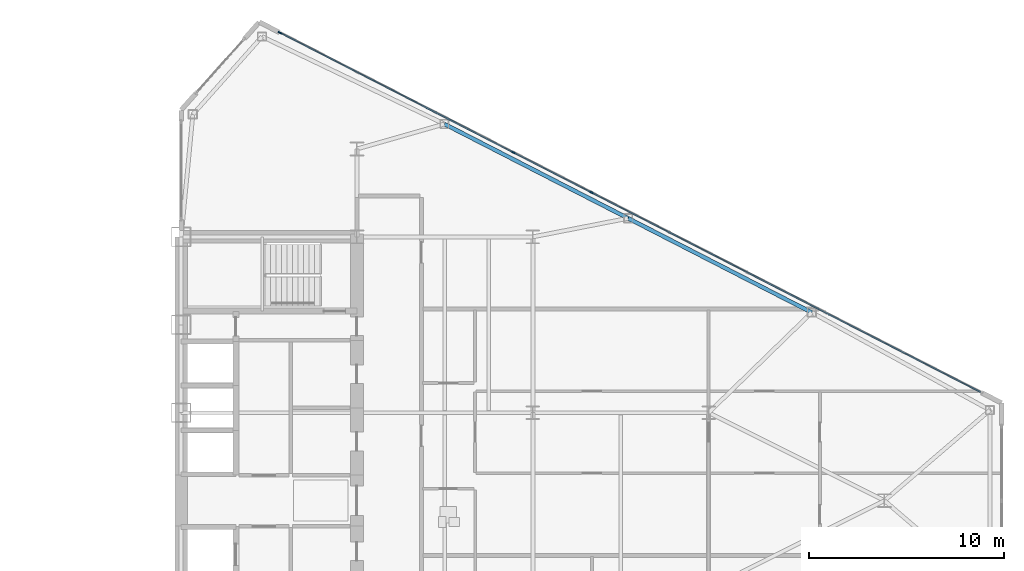
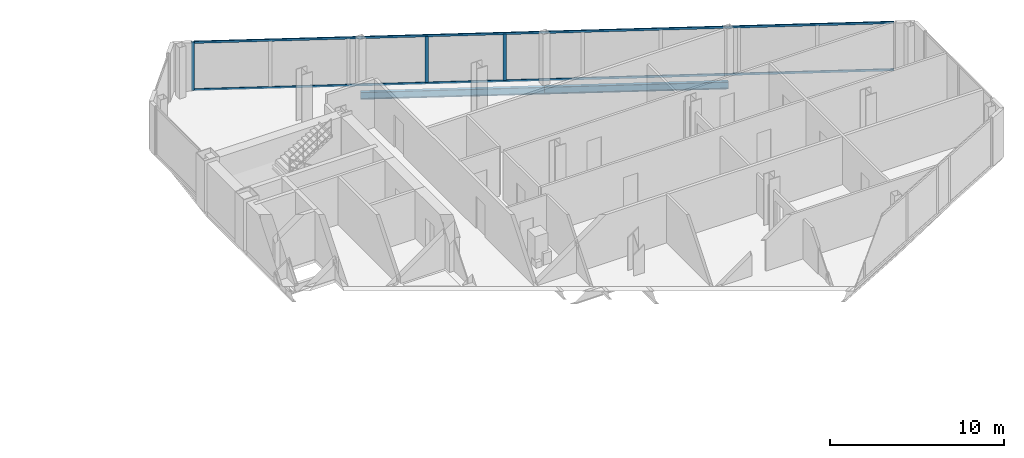
# One storey, part 12 of 24: 5 members, 2 beams, 1 element without a shape of its own.
"""IFC4 building model written with IfcOpenShell, lengths in metres."""

from ifc_helpers import new_model, si_unit, direction, frame, origin, origin_2d, place, context, subcontext, project, spatial, rectangle, i_section, extrude, source, transform, mapped, material, layer, layer_set, material_profile, profile_set, type_object, type_shapes, element, aggregate, save


model = new_model("IFC4")

# Units and contexts
model_context = context("Model", 3, precision=1e-05, world=origin(), true_north=direction((0.0, 1.0)))
body_context = subcontext(model_context, "Body", "Model", "MODEL_VIEW")
ifc_project = project(units=[si_unit("LENGTHUNIT", "METRE"), si_unit("AREAUNIT", "SQUARE_METRE"), si_unit("VOLUMEUNIT", "CUBIC_METRE"), si_unit("PLANEANGLEUNIT", "RADIAN"), si_unit("MASSUNIT", "GRAM", prefix="KILO")], contexts=[model_context])

# Site, building, storey
site_placement = place(None, origin())
site = spatial("IfcSite", under=ifc_project, at=site_placement, CompositionType="ELEMENT")
building_placement = place(site_placement, origin())
building = spatial("IfcBuilding", under=site, at=building_placement, Name="Seokmaru Belvedere", CompositionType="ELEMENT")
storey_placement = place(building_placement, frame((0.0, 0.0, 117.60009765625)))
storey = spatial("IfcBuildingStorey", under=building, at=storey_placement, Name="L31", CompositionType="ELEMENT", Elevation=117.60009765625)

# Beams
ifc_material_1 = material(Name="Steel SM355 (355 MPa)", Category="steel")
ifc_material_profile_1 = material_profile(ifc_material_1, i_section(OverallWidth=0.199951171875, OverallDepth=0.5, WebThickness=0.010009765625, FlangeThickness=0.01611328125, at=origin_2d()), Name="H-500x200x10x16")
ifc_profile_set_1 = profile_set([ifc_material_profile_1], Name="Steel SM355 (355 MPa)")
beam_type = type_object("IfcBeamType", Name="Perimeter Spandrel Beam H-500", PredefinedType="SPANDREL", material=ifc_profile_set_1)
shared_shape_1 = source(origin(), body_context, "Body", "SweptSolid", [
    extrude(i_section(OverallWidth=0.199951171875, OverallDepth=0.5, WebThickness=0.010009765625, FlangeThickness=0.01611328125, at=origin_2d()), origin(), (0.0, 0.0, 1.0), 10.56689453125),
])
type_shapes(beam_type, [shared_shape_1])
for number, where, z_axis, x_axis, name in (
    (1, (40.975830078125, 19.277587890625, -0.47021484375), (0.889701972758, -0.45654178305, 0.0), (0.45654178305, 0.889701972758, 0.0), "L31 E Faceted Flank Spandrel N-2"),
    (2, (50.377197265625, 14.453369140625, -0.47021484375), (0.889692588006, -0.456560071455, 0.0), (0.456560071455, 0.889692588006, 0.0), "L31 E Faceted Flank Spandrel N-3"),
):
    element("IfcBeam", number, at=place(storey_placement, frame(where, z_axis=z_axis, x_axis=x_axis)), inside=storey, type_object=beam_type, Name=name, PredefinedType="SPANDREL", context=body_context, shape_type="MappedRepresentation", body=[
        mapped(shared_shape_1, transform((0.0, 0.0, 0.0), scale=1.0)),
    ])

# Curtain wall, members
ifc_material_2 = material(Name="Bronze Triple Insulating Glass", Category="glass")
ifc_layer = layer(ifc_material_2, 0.195068359375)
ifc_layer_set = layer_set([ifc_layer], Name="Bronze Triple Insulating Glass")
curtain_wall_type = type_object("IfcCurtainWallType", Name="Sky-Lobby and Mid-Rise Curtain Wall System CW-4", PredefinedType="NOTDEFINED", material=ifc_layer_set)
curtain_wall_placement = place(storey_placement, origin())
curtain_wall = element("IfcCurtainWall", 3, at=curtain_wall_placement, inside=storey, type_object=curtain_wall_type, Name="L31 Curtain Wall EF3", PredefinedType="NOTDEFINED")
ifc_material_3 = material(Name="Anodised Bronze Aluminium", Category="aluminium")
ifc_material_profile_2 = material_profile(ifc_material_3, rectangle(XDim=0.070068359375, YDim=0.195068359375, at=origin_2d()), Name="CW-M-70x195")
ifc_profile_set_2 = profile_set([ifc_material_profile_2], Name="Anodised Bronze Aluminium")
member_type_1 = type_object("IfcMemberType", Name="Bronze Unitised Mullion 70x195", PredefinedType="MULLION", material=ifc_profile_set_2)
shared_shape_2 = source(origin(), body_context, "Body", "SweptSolid", [
    extrude(rectangle(XDim=0.070068359375, YDim=0.195068359375, at=origin_2d()), origin(), (0.0, 0.0, 1.0), 3.3798828125),
])
member_1_placement = place(storey_placement, frame((32.55419921875, 23.958984375, 0.0), z_axis=(0.0, 0.0, 1.0), x_axis=(-0.456554528263, -0.889695432562, 0.0)))
member_1 = element("IfcMember", 4, at=member_1_placement, type_object=member_type_1, Name="CW:L31:EF3 Mullion 10", PredefinedType="MULLION", context=body_context, shape_type="MappedRepresentation", body=[
    mapped(shared_shape_2, transform((0.0, 0.0, 0.0), scale=1.0)),
])
shared_shape_3 = source(origin(), body_context, "Body", "SweptSolid", [
    extrude(rectangle(XDim=0.070068359375, YDim=0.195068359375, at=origin_2d()), origin(), (0.0, 0.0, 1.0), 3.25),
])
type_shapes(member_type_1, [shared_shape_2, shared_shape_3])
member_2_placement = place(storey_placement, frame((48.502685546875, 15.77490234375, 0.06494140625), z_axis=(0.0, 0.0, 1.0), x_axis=(-0.456554528263, -0.889695432562, 0.0)))
member_2 = element("IfcMember", 5, at=member_2_placement, type_object=member_type_1, Name="CW:L31:EF3 Mullion 6", PredefinedType="MULLION", context=body_context, shape_type="MappedRepresentation", body=[
    mapped(shared_shape_3, transform((0.0, 0.0, 0.0), scale=1.0)),
])
member_3_placement = place(storey_placement, frame((44.5078125, 17.824951171875, 0.06494140625), z_axis=(0.0, 0.0, 1.0), x_axis=(-0.456554528263, -0.889695432562, 0.0)))
member_3 = element("IfcMember", 6, at=member_3_placement, type_object=member_type_1, Name="CW:L31:EF3 Mullion 7", PredefinedType="MULLION", context=body_context, shape_type="MappedRepresentation", body=[
    mapped(shared_shape_3, transform((0.0, 0.0, 0.0), scale=1.0)),
])
ifc_material_profile_3 = material_profile(ifc_material_3, rectangle(XDim=0.06494140625, YDim=0.14990234375, at=origin_2d()), Name="CW-T-65x150")
ifc_profile_set_3 = profile_set([ifc_material_profile_3], Name="Anodised Bronze Aluminium")
member_type_2 = type_object("IfcMemberType", Name="Bronze Unitised Transom 65x150", PredefinedType="USERDEFINED", material=ifc_profile_set_3)
shared_shape_4 = source(origin(), body_context, "Body", "SweptSolid", [
    extrude(rectangle(XDim=0.06494140625, YDim=0.14990234375, at=origin_2d()), origin(), (0.0, 0.0, 1.0), 40.271240234375),
])
type_shapes(member_type_2, [shared_shape_4])
member_4_placement = place(storey_placement, frame((68.41455078125, 5.556884765625, 0.032470703125), z_axis=(-0.889693089107, 0.456559094965, 0.0), x_axis=(-0.456559094965, -0.889693089107, 0.0)))
member_4 = element("IfcMember", 7, at=member_4_placement, type_object=member_type_2, Name="CW:L31:EF3 Continuous Transom 1", ObjectType="TRANSOM", PredefinedType="USERDEFINED", context=body_context, shape_type="MappedRepresentation", body=[
    mapped(shared_shape_4, transform((0.0, 0.0, 0.0), scale=1.0)),
])
member_5_placement = place(storey_placement, frame((68.41455078125, 5.556884765625, 3.347412109375), z_axis=(-0.889693089107, 0.456559094965, 0.0), x_axis=(-0.456559094965, -0.889693089107, 0.0)))
member_5 = element("IfcMember", 8, at=member_5_placement, type_object=member_type_2, Name="CW:L31:EF3 Continuous Transom 2", ObjectType="TRANSOM", PredefinedType="USERDEFINED", context=body_context, shape_type="MappedRepresentation", body=[
    mapped(shared_shape_4, transform((0.0, 0.0, 0.0), scale=1.0)),
])
aggregate(curtain_wall, [member_2, member_3, member_1, member_4, member_5])

save(model, "model.ifc")
